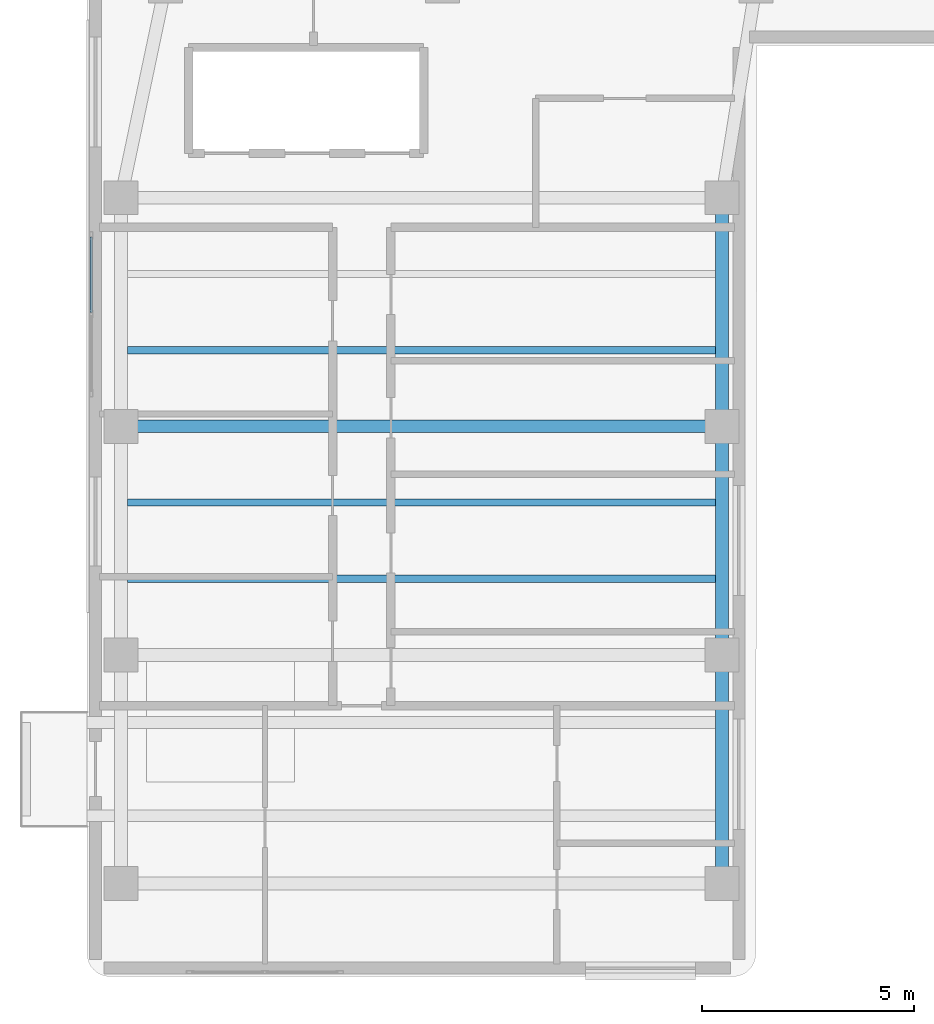
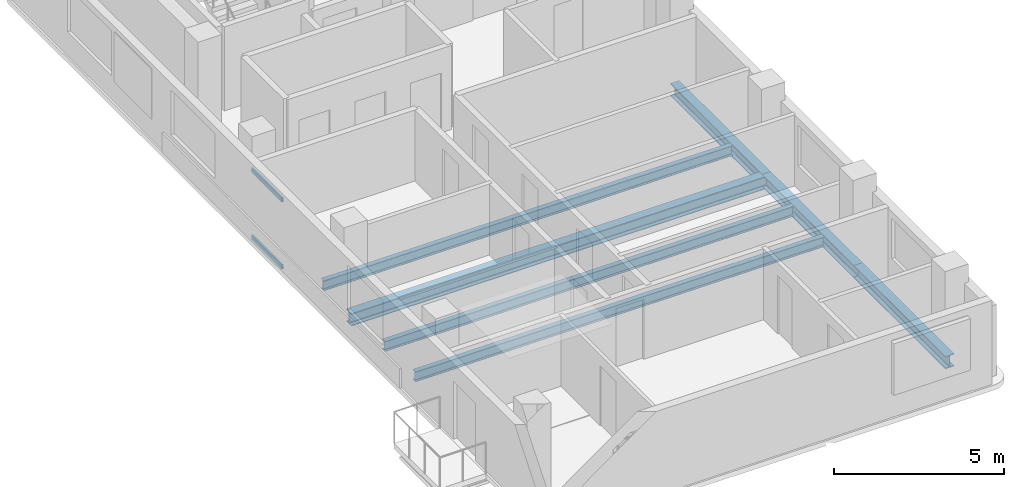
# One storey, part 5 of 11: 7 beams, 2 members, 1 element without a shape of its own.
"""IFC4 building model written with IfcOpenShell, lengths in metres."""

from ifc_helpers import new_model, si_unit, direction, frame, origin, origin_2d, place, context, subcontext, project, spatial, hollow_rectangle, i_section, extrude, material, material_profile, profile_set, type_object, element, aggregate, save


model = new_model("IFC4")

# Units and contexts
model_context = context("Model", 3, precision=1e-05, world=origin(), true_north=direction((0.0, 1.0)))
body_context = subcontext(model_context, "Body", "Model", "MODEL_VIEW")
ifc_project = project(units=[si_unit("LENGTHUNIT", "METRE"), si_unit("AREAUNIT", "SQUARE_METRE"), si_unit("VOLUMEUNIT", "CUBIC_METRE"), si_unit("PLANEANGLEUNIT", "RADIAN"), si_unit("MASSUNIT", "GRAM", prefix="KILO")], contexts=[model_context])

# Site, building, storey
site_placement = place(None, origin())
site = spatial("IfcSite", under=ifc_project, at=site_placement, CompositionType="ELEMENT")
building_placement = place(site_placement, origin())
building = spatial("IfcBuilding", under=site, at=building_placement, Name="Kuzgunbayir Cultural Tower", CompositionType="ELEMENT")
storey_placement = place(building_placement, frame((0.0, 0.0, 234.39990234375)))
storey = spatial("IfcBuildingStorey", under=building, at=storey_placement, Name="L69", CompositionType="ELEMENT", Elevation=234.39990234375)

# Beams
ifc_material_1 = material(Name="Steel S355J2", Category="steel")
ifc_material_profile_1 = material_profile(ifc_material_1, i_section(OverallWidth=0.300048828125, OverallDepth=0.449951171875, WebThickness=0.013916015625, FlangeThickness=0.02587890625, FilletRadius=0.027099609375, at=origin_2d()), Name="HEB 450")
ifc_profile_set_1 = profile_set([ifc_material_profile_1], Name="Steel S355J2")
beam_type_1 = type_object("IfcBeamType", Name="BM-EXT-HEB450", PredefinedType="BEAM", material=ifc_profile_set_1)
for number, where, z_axis, x_axis, name in (
    (1, (19.60009765625, 12.60009765625, -0.39990234375), (0.0, 1.0, 0.0), (-1.0, 0.0, 0.0), "L69 Wing A East Girder 1"),
    (2, (19.60009765625, 18.0, -0.39990234375), (0.0, 1.0, 0.0), (-1.0, 0.0, 0.0), "L69 Wing A East Girder 2"),
):
    element("IfcBeam", number, at=place(storey_placement, frame(where, z_axis=z_axis, x_axis=x_axis)), inside=storey, type_object=beam_type_1, Name=name, PredefinedType="BEAM", context=body_context, shape_type="SweptSolid", body=[
        extrude(i_section(OverallWidth=0.300048828125, OverallDepth=0.449951171875, WebThickness=0.013916015625, FlangeThickness=0.02587890625, FilletRadius=0.027099609375, at=origin_2d()), origin(), (0.0, 0.0, 1.0), 5.39990234375),
    ])
beam_1_placement = place(storey_placement, frame((19.60009765625, 23.39990234375, -0.39990234375), z_axis=(0.0, 1.0, 0.0), x_axis=(-1.0, 0.0, 0.0)))
element("IfcBeam", 3, at=beam_1_placement, inside=storey, type_object=beam_type_1, Name="L69 Wing A East Girder 3", PredefinedType="BEAM", context=body_context, shape_type="SweptSolid", body=[
    extrude(i_section(OverallWidth=0.300048828125, OverallDepth=0.449951171875, WebThickness=0.013916015625, FlangeThickness=0.02587890625, FilletRadius=0.027099609375, at=origin_2d()), origin(), (0.0, 0.0, 1.0), 5.400146484375),
])
ifc_material_profile_2 = material_profile(ifc_material_1, i_section(OverallWidth=0.300048828125, OverallDepth=0.449951171875, WebThickness=0.013916015625, FlangeThickness=0.02587890625, FilletRadius=0.027099609375, at=origin_2d()), Name="HEB 450")
ifc_profile_set_2 = profile_set([ifc_material_profile_2], Name="Steel S355J2")
beam_type_2 = type_object("IfcBeamType", Name="BM-GIR-HEB450", PredefinedType="BEAM", material=ifc_profile_set_2)
beam_2_placement = place(storey_placement, frame((5.39990234375, 23.39990234375, -0.39990234375), z_axis=(1.0, 0.0, 0.0), x_axis=(0.0, 1.0, 0.0)))
element("IfcBeam", 4, at=beam_2_placement, inside=storey, type_object=beam_type_2, Name="L69 Wing A Transverse Girder 3", PredefinedType="BEAM", context=body_context, shape_type="SweptSolid", body=[
    extrude(i_section(OverallWidth=0.300048828125, OverallDepth=0.449951171875, WebThickness=0.013916015625, FlangeThickness=0.02587890625, FilletRadius=0.027099609375, at=origin_2d()), origin(), (0.0, 0.0, 1.0), 14.2001953125),
])
ifc_material_profile_3 = material_profile(ifc_material_1, i_section(OverallWidth=0.169921875, OverallDepth=0.360107421875, WebThickness=0.008056640625, FlangeThickness=0.0126953125, FilletRadius=0.01806640625, at=origin_2d()), Name="IPE 360")
ifc_profile_set_3 = profile_set([ifc_material_profile_3], Name="Steel S355J2")
beam_type_3 = type_object("IfcBeamType", Name="BM-JST-IPE360", PredefinedType="JOIST", material=ifc_profile_set_3)
for number, where, z_axis, x_axis, name in (
    (5, (5.550048828125, 19.800048828125, -0.35986328125), (1.0, 0.0, 0.0), (0.0, 1.0, 0.0), "L69 Wing A Secondary Joist 3"),
    (6, (5.550048828125, 21.60009765625, -0.35986328125), (1.0, 0.0, 0.0), (0.0, 1.0, 0.0), "L69 Wing A Secondary Joist 4"),
    (7, (5.550048828125, 25.199951171875, -0.35986328125), (1.0, 0.0, 0.0), (0.0, 1.0, 0.0), "L69 Wing A Secondary Joist 5"),
):
    element("IfcBeam", number, at=place(storey_placement, frame(where, z_axis=z_axis, x_axis=x_axis)), inside=storey, type_object=beam_type_3, Name=name, PredefinedType="JOIST", context=body_context, shape_type="SweptSolid", body=[
        extrude(i_section(OverallWidth=0.169921875, OverallDepth=0.360107421875, WebThickness=0.008056640625, FlangeThickness=0.0126953125, FilletRadius=0.01806640625, at=origin_2d()), origin(), (0.0, 0.0, 1.0), 13.89990234375),
    ])

# Curtain wall, members
ifc_material_2 = material(Name="Anodised Aluminium Framing", Category="aluminium")
curtain_wall_type = type_object("IfcCurtainWallType", Name="CW06-OBSERVATORY", PredefinedType="NOTDEFINED", material=ifc_material_2)
curtain_wall_placement = place(storey_placement, origin())
curtain_wall = element("IfcCurtainWall", 8, at=curtain_wall_placement, inside=storey, type_object=curtain_wall_type, Name="L69 Crown Observatory West Curtain Wall", PredefinedType="NOTDEFINED")
ifc_material_profile_4 = material_profile(ifc_material_2, hollow_rectangle(XDim=0.06005859375, YDim=0.14990234375, WallThickness=0.00390625, at=origin_2d()), Name="RHS 150x60x4")
ifc_profile_set_4 = profile_set([ifc_material_profile_4], Name="Anodised Aluminium Framing")
member_type = type_object("IfcMemberType", Name="MEM-CW-TRANSOM-150", PredefinedType="USERDEFINED", material=ifc_profile_set_4)
member_1_placement = place(storey_placement, frame((4.699951171875, 26.08740234375, 0.030029296875), z_axis=(0.0, 1.0, 0.0), x_axis=(-1.0, 0.0, 0.0)))
member_1 = element("IfcMember", 9, at=member_1_placement, type_object=member_type, Name="CW06 transom 2.1", ObjectType="TRANSOM", PredefinedType="USERDEFINED", context=body_context, shape_type="SweptSolid", body=[
    extrude(hollow_rectangle(XDim=0.06005859375, YDim=0.14990234375, WallThickness=0.00390625, at=origin_2d()), origin(), (0.0, 0.0, 1.0), 1.78759765625),
])
member_2_placement = place(storey_placement, frame((4.699951171875, 26.08740234375, 2.440185546875), z_axis=(0.0, 1.0, 0.0), x_axis=(-1.0, 0.0, 0.0)))
member_2 = element("IfcMember", 10, at=member_2_placement, type_object=member_type, Name="CW06 transom 2.2", ObjectType="TRANSOM", PredefinedType="USERDEFINED", context=body_context, shape_type="SweptSolid", body=[
    extrude(hollow_rectangle(XDim=0.06005859375, YDim=0.14990234375, WallThickness=0.00390625, at=origin_2d()), origin(), (0.0, 0.0, 1.0), 1.78759765625),
])
aggregate(curtain_wall, [member_1, member_2])

save(model, "model.ifc")
